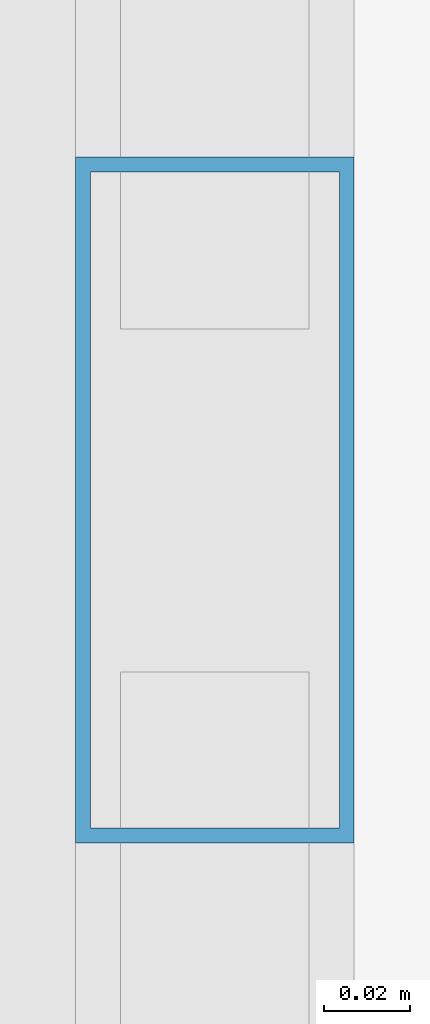
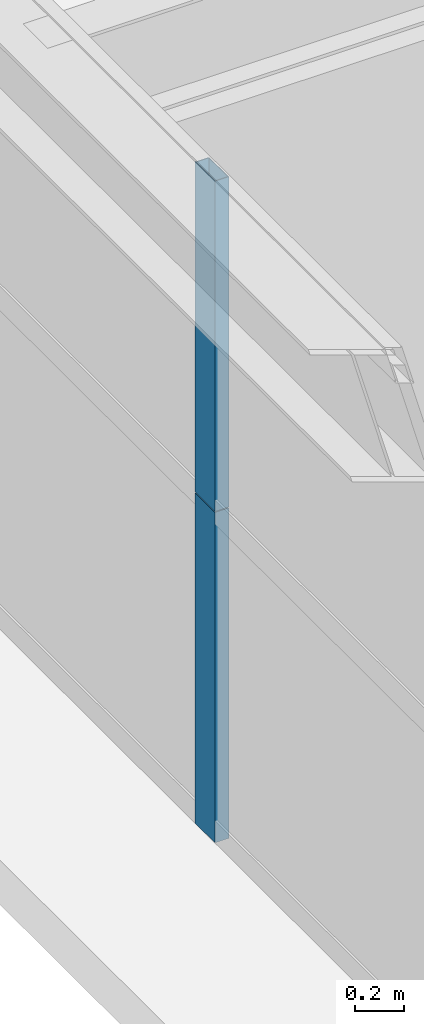
# One storey, part 9 of 42: 2 members, 1 element without a shape of its own.
"""IFC4 building model written with IfcOpenShell, lengths in metres."""

from ifc_helpers import new_model, si_unit, direction, frame, origin, origin_2d, place, context, subcontext, project, spatial, hollow_rectangle, extrude, source, transform, mapped, material, layer, layer_set, material_profile, profile_set, type_object, element, aggregate, save


model = new_model("IFC4")

# Units and contexts
model_context = context("Model", 3, precision=1e-05, world=origin(), true_north=direction((0.0, 1.0)))
body_context = subcontext(model_context, "Body", "Model", "MODEL_VIEW")
ifc_project = project(units=[si_unit("LENGTHUNIT", "METRE"), si_unit("AREAUNIT", "SQUARE_METRE"), si_unit("VOLUMEUNIT", "CUBIC_METRE"), si_unit("PLANEANGLEUNIT", "RADIAN"), si_unit("MASSUNIT", "GRAM", prefix="KILO"), si_unit("THERMODYNAMICTEMPERATUREUNIT", "KELVIN"), si_unit("POWERUNIT", "WATT")], contexts=[model_context])

# Site, building, storey
site_placement = place(None, origin())
site = spatial("IfcSite", under=ifc_project, at=site_placement, CompositionType="ELEMENT")
building_placement = place(site_placement, origin())
building = spatial("IfcBuilding", under=site, at=building_placement, Name="Yuzanri Waterfront Tower", CompositionType="ELEMENT")
storey_placement = place(building_placement, frame((0.0, 0.0, 184.5)))
storey = spatial("IfcBuildingStorey", under=building, at=storey_placement, Name="L48", CompositionType="ELEMENT", Elevation=184.5)

# Curtain wall, members
ifc_material_1 = material(Name="Anodized Architectural Bronze", Category="metal")
ifc_layer = layer(ifc_material_1, 0.159912109375)
ifc_layer_set = layer_set([ifc_layer], Name="Anodized Architectural Bronze")
curtain_wall_type = type_object("IfcCurtainWallType", Name="Anodized Bronze Mid-Rise Residential Acoustic Unitized Curtain Wall 7200", PredefinedType="NOTDEFINED", material=ifc_layer_set)
curtain_wall_placement = place(storey_placement, origin())
curtain_wall = element("IfcCurtainWall", 1, at=curtain_wall_placement, inside=storey, type_object=curtain_wall_type, Name="L48 Curtain Wall CW-L48-WL", PredefinedType="NOTDEFINED")
ifc_material_2 = material(Name="Anodized Architectural Bronze", Category="metal")
ifc_material_profile = material_profile(ifc_material_2, hollow_rectangle(XDim=0.06494140625, YDim=0.159912109375, WallThickness=0.00341796875, at=origin_2d()), Name="CWM 65x160")
ifc_profile_set = profile_set([ifc_material_profile], Name="Anodized Architectural Bronze")
member_type = type_object("IfcMemberType", Name="Anodized Bronze Upper-Zone Curtain-Wall Mullion 65x160", PredefinedType="MULLION", material=ifc_profile_set)
shared_shape = source(origin(), body_context, "Body", "SweptSolid", [
    extrude(hollow_rectangle(XDim=0.06494140625, YDim=0.159912109375, WallThickness=0.00341796875, at=origin_2d()), origin(), (0.0, 0.0, 1.0), 1.637939453125),
])
member_1_placement = place(storey_placement, frame((15.050048828125, 18.22509765625, 0.0), z_axis=(0.0, 0.0, 1.0), x_axis=(1.0, 0.0, 0.0)))
member_1 = element("IfcMember", 2, at=member_1_placement, type_object=member_type, Name="CW-L48-WL Lower Mullion 01", PredefinedType="MULLION", context=body_context, shape_type="MappedRepresentation", body=[
    mapped(shared_shape, transform((0.0, 0.0, 0.0), scale=1.0)),
])
member_2_placement = place(storey_placement, frame((15.050048828125, 18.22509765625, 1.64208984375), z_axis=(0.0, 0.0, 1.0), x_axis=(1.0, 0.0, 0.0)))
member_2 = element("IfcMember", 3, at=member_2_placement, type_object=member_type, Name="CW-L48-WL Upper Mullion 01", PredefinedType="MULLION", context=body_context, shape_type="MappedRepresentation", body=[
    mapped(shared_shape, transform((0.0, 0.0, 0.0), scale=1.0)),
])
aggregate(curtain_wall, [member_1, member_2])

save(model, "model.ifc")
